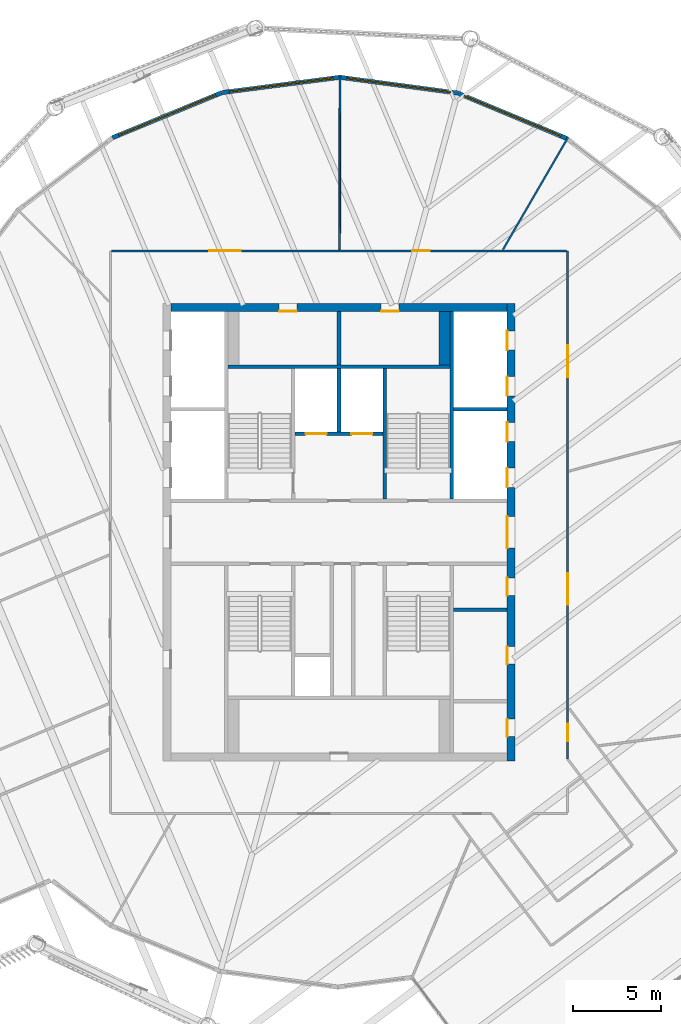
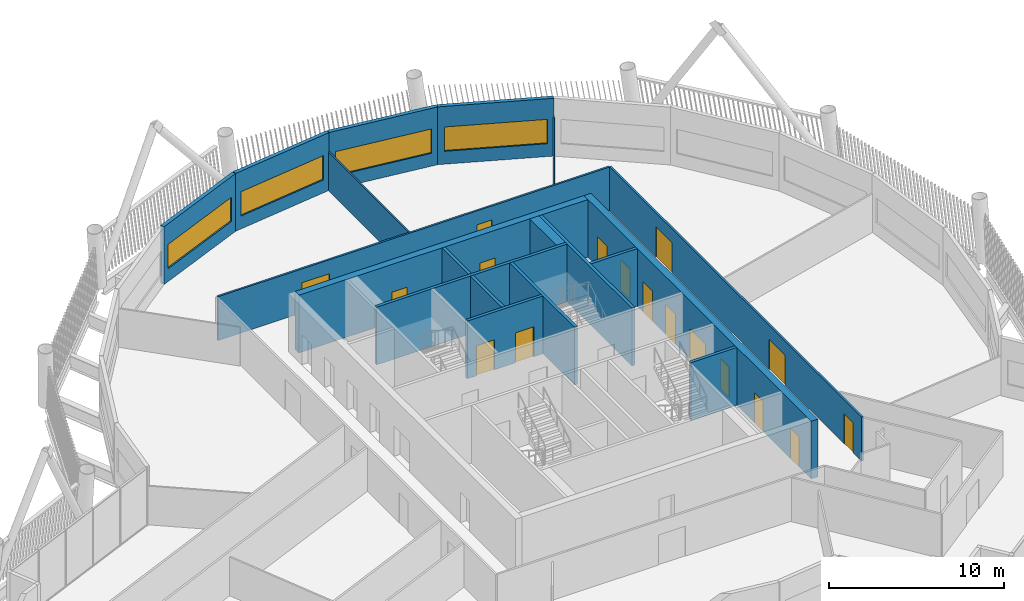
# One storey, part 19 of 35: 19 walls, 17 doors, 4 windows, 21 openings.
"""IFC4 building model written with IfcOpenShell, lengths in metres."""

from ifc_helpers import new_model, si_unit, direction, frame, frame_2d, origin, place, context, subcontext, project, spatial, rectangle, extrude, material, layer, layer_set, type_object, element, fill, save


model = new_model("IFC4")

# Units and contexts
model_context = context("Model", 3, precision=1e-05, world=origin(), true_north=direction((0.0, 1.0)))
body_context = subcontext(model_context, "Body", "Model", "MODEL_VIEW")
ifc_project = project(units=[si_unit("LENGTHUNIT", "METRE"), si_unit("AREAUNIT", "SQUARE_METRE"), si_unit("VOLUMEUNIT", "CUBIC_METRE"), si_unit("PLANEANGLEUNIT", "RADIAN"), si_unit("MASSUNIT", "GRAM", prefix="KILO")], contexts=[model_context])

# Site, building, storey
site_placement = place(None, origin())
site = spatial("IfcSite", under=ifc_project, at=site_placement, CompositionType="ELEMENT")
building_placement = place(site_placement, origin())
building = spatial("IfcBuilding", under=site, at=building_placement, Name="Tarsis Ring Headquarters", CompositionType="ELEMENT")
storey_placement = place(building_placement, frame((0.0, 0.0, 377.60009765625)))
storey = spatial("IfcBuildingStorey", under=building, at=storey_placement, Name="L89", CompositionType="ELEMENT", Elevation=377.60009765625)

# Walls
ifc_material_1 = material(Name="Blockwork", Category="masonry")
ifc_layer_1 = layer(ifc_material_1, 0.199951171875)
ifc_layer_set_1 = layer_set([ifc_layer_1], Name="Core blockwork wall 200")
wall_type_1 = type_object("IfcWallType", Name="Core blockwork wall 200", PredefinedType="PARTITIONING", material=ifc_layer_set_1)
for number, where, z_axis, x_axis, name in (
    (1, (6.5, -4.39990234375, 0.0), (0.0, 0.0, 1.0), (1.0, 0.0, 0.0), "Core partition ED3"),
    (2, (0.0, 9.5, 0.0), (0.0, 0.0, 1.0), (0.0, 1.0, 0.0), "Core partition ND2"),
):
    element("IfcWall", number, at=place(storey_placement, frame(where, z_axis=z_axis, x_axis=x_axis)), inside=storey, type_object=wall_type_1, Name=name, PredefinedType="PARTITIONING", context=body_context, shape_type="SweptSolid", body=[
        extrude(rectangle(XDim=3.050048828125, YDim=0.199951171875, at=frame_2d((1.52490234375, 0.0))), origin(), (0.0, 0.0, 1.0), 4.039794921875),
    ])

# Wall, openings, doors
ifc_material_2 = material(Name="Concrete C50/60", Category="concrete")
ifc_layer_2 = layer(ifc_material_2, 0.449951171875)
ifc_layer_set_2 = layer_set([ifc_layer_2], Name="Core wall 450 C50/60")
wall_type_2 = type_object("IfcWallType", Name="Core wall 450 C50/60", PredefinedType="SHEAR", material=ifc_layer_set_2)
wall_1_placement = place(storey_placement, frame((9.77490234375, -13.0, 0.0), z_axis=(0.0, 0.0, 1.0), x_axis=(0.0, 1.0, 0.0)))
wall_1 = element("IfcWall", 3, at=wall_1_placement, inside=storey, type_object=wall_type_2, Name="Core wall OE", PredefinedType="SHEAR", context=body_context, shape_type="SweptSolid", body=[
    extrude(rectangle(XDim=26.0, YDim=0.449951171875, at=frame_2d((13.0, 0.0))), origin(), (0.0, 0.0, 1.0), 4.039794921875),
])
opening_1_placement = place(wall_1_placement, frame((1.375, 0.0, 0.0)))
opening_1 = element("IfcOpeningElement", 4, at=opening_1_placement, cuts=wall_1, Name="Opening L89-C07", PredefinedType="OPENING", context=body_context, shape_type="SweptSolid", body=[
    extrude(rectangle(XDim=1.0, YDim=2.10009765625, at=frame_2d((0.5, 1.050048828125))), frame((0.0, 0.23486328125, 0.0), z_axis=(0.0, -1.0, 0.0), x_axis=(1.0, 0.0, 0.0)), (0.0, 0.0, 1.0), 0.469970703125),
])
opening_2_placement = place(wall_1_placement, frame((5.5, 0.0, 0.0)))
opening_2 = element("IfcOpeningElement", 5, at=opening_2_placement, cuts=wall_1, Name="Opening L89-C08", PredefinedType="OPENING", context=body_context, shape_type="SweptSolid", body=[
    extrude(rectangle(XDim=1.0, YDim=2.10009765625, at=frame_2d((0.5, 1.050048828125))), frame((0.0, 0.23486328125, 0.0), z_axis=(0.0, -1.0, 0.0), x_axis=(1.0, 0.0, 0.0)), (0.0, 0.0, 1.0), 0.469970703125),
])
opening_3_placement = place(wall_1_placement, frame((9.39990234375, 0.0, 0.0)))
opening_3 = element("IfcOpeningElement", 6, at=opening_3_placement, cuts=wall_1, Name="Opening L89-C09", PredefinedType="OPENING", context=body_context, shape_type="SweptSolid", body=[
    extrude(rectangle(XDim=1.0, YDim=2.10009765625, at=frame_2d((0.5, 1.050048828125))), frame((0.0, 0.23486328125, 0.0), z_axis=(0.0, -1.0, 0.0), x_axis=(1.0, 0.0, 0.0)), (0.0, 0.0, 1.0), 0.469970703125),
])
opening_4_placement = place(wall_1_placement, frame((12.10009765625, 0.0, 0.0)))
opening_4 = element("IfcOpeningElement", 7, at=opening_4_placement, cuts=wall_1, Name="Opening L89-C10", PredefinedType="OPENING", context=body_context, shape_type="SweptSolid", body=[
    extrude(rectangle(XDim=1.800048828125, YDim=2.10009765625, at=frame_2d((0.89990234375, 1.050048828125))), frame((0.0, 0.23486328125, 0.0), z_axis=(0.0, -1.0, 0.0), x_axis=(1.0, 0.0, 0.0)), (0.0, 0.0, 1.0), 0.469970703125),
])
opening_5_placement = place(wall_1_placement, frame((15.550048828125, 0.0, 0.0)))
opening_5 = element("IfcOpeningElement", 8, at=opening_5_placement, cuts=wall_1, Name="Opening LD-HR5", PredefinedType="OPENING", context=body_context, shape_type="SweptSolid", body=[
    extrude(rectangle(XDim=1.10009765625, YDim=2.10009765625, at=frame_2d((0.550048828125, 1.050048828125))), frame((0.0, 0.23486328125, 0.0), z_axis=(0.0, -1.0, 0.0), x_axis=(1.0, 0.0, 0.0)), (0.0, 0.0, 1.0), 0.469970703125),
])
opening_6_placement = place(wall_1_placement, frame((18.14990234375, 0.0, 0.0)))
opening_6 = element("IfcOpeningElement", 9, at=opening_6_placement, cuts=wall_1, Name="Opening LD-HR6", PredefinedType="OPENING", context=body_context, shape_type="SweptSolid", body=[
    extrude(rectangle(XDim=1.10009765625, YDim=2.10009765625, at=frame_2d((0.550048828125, 1.050048828125))), frame((0.0, 0.23486328125, 0.0), z_axis=(0.0, -1.0, 0.0), x_axis=(1.0, 0.0, 0.0)), (0.0, 0.0, 1.0), 0.469970703125),
])
opening_7_placement = place(wall_1_placement, frame((20.75, 0.0, 0.0)))
opening_7 = element("IfcOpeningElement", 10, at=opening_7_placement, cuts=wall_1, Name="Opening LD-HR7", PredefinedType="OPENING", context=body_context, shape_type="SweptSolid", body=[
    extrude(rectangle(XDim=1.10009765625, YDim=2.10009765625, at=frame_2d((0.550048828125, 1.050048828125))), frame((0.0, 0.23486328125, 0.0), z_axis=(0.0, -1.0, 0.0), x_axis=(1.0, 0.0, 0.0)), (0.0, 0.0, 1.0), 0.469970703125),
])
opening_8_placement = place(wall_1_placement, frame((23.35009765625, 0.0, 0.0)))
opening_8 = element("IfcOpeningElement", 11, at=opening_8_placement, cuts=wall_1, Name="Opening LD-HR8", PredefinedType="OPENING", context=body_context, shape_type="SweptSolid", body=[
    extrude(rectangle(XDim=1.10009765625, YDim=2.10009765625, at=frame_2d((0.550048828125, 1.050048828125))), frame((0.0, 0.23486328125, 0.0), z_axis=(0.0, -1.0, 0.0), x_axis=(1.0, 0.0, 0.0)), (0.0, 0.0, 1.0), 0.469970703125),
])
ifc_material_3 = material(Name="Steel S355", Category="steel")
door_type_1 = type_object("IfcDoorType", Name="Core entry door 1800x2100", OperationType="DOUBLE_DOOR_SINGLE_SWING", PredefinedType="DOOR", material=ifc_material_3)
door_1_placement = place(opening_4_placement, origin())
door_1 = element("IfcDoor", 12, at=door_1_placement, inside=storey, type_object=door_type_1, Name="Core entry door L89", OperationType="DOUBLE_DOOR_SINGLE_SWING", OverallHeight=2.10009765625, OverallWidth=1.800048828125, PredefinedType="DOOR", context=body_context, shape_type="SweptSolid", body=[
    extrude(rectangle(XDim=1.800048828125, YDim=2.10009765625, at=frame_2d((0.89990234375, 1.050048828125))), frame((0.0, 0.22509765625, 0.0), z_axis=(0.0, -1.0, 0.0), x_axis=(1.0, 0.0, 0.0)), (0.0, 0.0, 1.0), 0.050048828125),
])
fill(opening_4, door_1)
door_type_2 = type_object("IfcDoorType", Name="Core room door 1000x2100", OperationType="SINGLE_SWING_LEFT", PredefinedType="DOOR", material=ifc_material_3)
door_2_placement = place(opening_1_placement, origin())
door_2 = element("IfcDoor", 13, at=door_2_placement, inside=storey, type_object=door_type_2, Name="Core room door L89", OperationType="SINGLE_SWING_LEFT", OverallHeight=2.10009765625, OverallWidth=1.0, PredefinedType="DOOR", context=body_context, shape_type="SweptSolid", body=[
    extrude(rectangle(XDim=1.0, YDim=2.10009765625, at=frame_2d((0.5, 1.050048828125))), frame((0.0, 0.22509765625, 0.0), z_axis=(0.0, -1.0, 0.0), x_axis=(1.0, 0.0, 0.0)), (0.0, 0.0, 1.0), 0.050048828125),
])
fill(opening_1, door_2)
door_3_placement = place(opening_2_placement, origin())
door_3 = element("IfcDoor", 14, at=door_3_placement, inside=storey, type_object=door_type_2, Name="Core room door L89", OperationType="SINGLE_SWING_LEFT", OverallHeight=2.10009765625, OverallWidth=1.0, PredefinedType="DOOR", context=body_context, shape_type="SweptSolid", body=[
    extrude(rectangle(XDim=1.0, YDim=2.10009765625, at=frame_2d((0.5, 1.050048828125))), frame((0.0, 0.22509765625, 0.0), z_axis=(0.0, -1.0, 0.0), x_axis=(1.0, 0.0, 0.0)), (0.0, 0.0, 1.0), 0.050048828125),
])
fill(opening_2, door_3)
door_4_placement = place(opening_3_placement, origin())
door_4 = element("IfcDoor", 15, at=door_4_placement, inside=storey, type_object=door_type_2, Name="Core room door L89", OperationType="SINGLE_SWING_LEFT", OverallHeight=2.10009765625, OverallWidth=1.0, PredefinedType="DOOR", context=body_context, shape_type="SweptSolid", body=[
    extrude(rectangle(XDim=1.0, YDim=2.10009765625, at=frame_2d((0.5, 1.050048828125))), frame((0.0, 0.22509765625, 0.0), z_axis=(0.0, -1.0, 0.0), x_axis=(1.0, 0.0, 0.0)), (0.0, 0.0, 1.0), 0.050048828125),
])
fill(opening_3, door_4)
door_type_3 = type_object("IfcDoorType", Name="Landing door 1100x2100", OperationType="SLIDING_TO_LEFT", PredefinedType="DOOR", material=ifc_material_3)
door_5_placement = place(opening_5_placement, origin())
door_5 = element("IfcDoor", 16, at=door_5_placement, inside=storey, type_object=door_type_3, Name="Landing door HR5 L89", OperationType="SLIDING_TO_LEFT", OverallHeight=2.10009765625, OverallWidth=1.10009765625, PredefinedType="DOOR", context=body_context, shape_type="SweptSolid", body=[
    extrude(rectangle(XDim=1.10009765625, YDim=2.10009765625, at=frame_2d((0.550048828125, 1.050048828125))), frame((0.0, 0.22509765625, 0.0), z_axis=(0.0, -1.0, 0.0), x_axis=(1.0, 0.0, 0.0)), (0.0, 0.0, 1.0), 0.050048828125),
])
fill(opening_5, door_5)
door_6_placement = place(opening_6_placement, origin())
door_6 = element("IfcDoor", 17, at=door_6_placement, inside=storey, type_object=door_type_3, Name="Landing door HR6 L89", OperationType="SLIDING_TO_LEFT", OverallHeight=2.10009765625, OverallWidth=1.10009765625, PredefinedType="DOOR", context=body_context, shape_type="SweptSolid", body=[
    extrude(rectangle(XDim=1.10009765625, YDim=2.10009765625, at=frame_2d((0.550048828125, 1.050048828125))), frame((0.0, 0.22509765625, 0.0), z_axis=(0.0, -1.0, 0.0), x_axis=(1.0, 0.0, 0.0)), (0.0, 0.0, 1.0), 0.050048828125),
])
fill(opening_6, door_6)
door_7_placement = place(opening_7_placement, origin())
door_7 = element("IfcDoor", 18, at=door_7_placement, inside=storey, type_object=door_type_3, Name="Landing door HR7 L89", OperationType="SLIDING_TO_LEFT", OverallHeight=2.10009765625, OverallWidth=1.10009765625, PredefinedType="DOOR", context=body_context, shape_type="SweptSolid", body=[
    extrude(rectangle(XDim=1.10009765625, YDim=2.10009765625, at=frame_2d((0.550048828125, 1.050048828125))), frame((0.0, 0.22509765625, 0.0), z_axis=(0.0, -1.0, 0.0), x_axis=(1.0, 0.0, 0.0)), (0.0, 0.0, 1.0), 0.050048828125),
])
fill(opening_7, door_7)
door_8_placement = place(opening_8_placement, origin())
door_8 = element("IfcDoor", 19, at=door_8_placement, inside=storey, type_object=door_type_3, Name="Landing door HR8 L89", OperationType="SLIDING_TO_LEFT", OverallHeight=2.10009765625, OverallWidth=1.10009765625, PredefinedType="DOOR", context=body_context, shape_type="SweptSolid", body=[
    extrude(rectangle(XDim=1.10009765625, YDim=2.10009765625, at=frame_2d((0.550048828125, 1.050048828125))), frame((0.0, 0.22509765625, 0.0), z_axis=(0.0, -1.0, 0.0), x_axis=(1.0, 0.0, 0.0)), (0.0, 0.0, 1.0), 0.050048828125),
])
fill(opening_8, door_8)

wall_2_placement = place(storey_placement, frame((-9.550048828125, 12.77490234375, 0.0), z_axis=(0.0, 0.0, 1.0), x_axis=(1.0, 0.0, 0.0)))
wall_2 = element("IfcWall", 20, at=wall_2_placement, inside=storey, type_object=wall_type_2, Name="Core wall ON", PredefinedType="SHEAR", context=body_context, shape_type="SweptSolid", body=[
    extrude(rectangle(XDim=19.10009765625, YDim=0.449951171875, at=frame_2d((9.550048828125, 0.0))), origin(), (0.0, 0.0, 1.0), 4.039794921875),
])
opening_9_placement = place(wall_2_placement, frame((6.14990234375, 0.0, 0.0)))
opening_9 = element("IfcOpeningElement", 21, at=opening_9_placement, cuts=wall_2, Name="Opening L89-C15", PredefinedType="OPENING", context=body_context, shape_type="SweptSolid", body=[
    extrude(rectangle(XDim=1.0, YDim=2.10009765625, at=frame_2d((0.5, 1.050048828125))), frame((0.0, 0.23486328125, 0.0), z_axis=(0.0, -1.0, 0.0), x_axis=(1.0, 0.0, 0.0)), (0.0, 0.0, 1.0), 0.469970703125),
])
opening_10_placement = place(wall_2_placement, frame((11.949951171875, 0.0, 0.0)))
opening_10 = element("IfcOpeningElement", 22, at=opening_10_placement, cuts=wall_2, Name="Opening L89-C16", PredefinedType="OPENING", context=body_context, shape_type="SweptSolid", body=[
    extrude(rectangle(XDim=1.0, YDim=2.10009765625, at=frame_2d((0.5, 1.050048828125))), frame((0.0, 0.23486328125, 0.0), z_axis=(0.0, -1.0, 0.0), x_axis=(1.0, 0.0, 0.0)), (0.0, 0.0, 1.0), 0.469970703125),
])
door_9_placement = place(opening_9_placement, origin())
door_9 = element("IfcDoor", 23, at=door_9_placement, inside=storey, type_object=door_type_2, Name="Core room door L89", OperationType="SINGLE_SWING_LEFT", OverallHeight=2.10009765625, OverallWidth=1.0, PredefinedType="DOOR", context=body_context, shape_type="SweptSolid", body=[
    extrude(rectangle(XDim=1.0, YDim=2.10009765625, at=frame_2d((0.5, 1.050048828125))), frame((0.0, -0.1748046875, 0.0), z_axis=(0.0, -1.0, 0.0), x_axis=(1.0, 0.0, 0.0)), (0.0, 0.0, 1.0), 0.050048828125),
])
fill(opening_9, door_9)
door_10_placement = place(opening_10_placement, origin())
door_10 = element("IfcDoor", 24, at=door_10_placement, inside=storey, type_object=door_type_2, Name="Core room door L89", OperationType="SINGLE_SWING_LEFT", OverallHeight=2.10009765625, OverallWidth=1.0, PredefinedType="DOOR", context=body_context, shape_type="SweptSolid", body=[
    extrude(rectangle(XDim=1.0, YDim=2.10009765625, at=frame_2d((0.5, 1.050048828125))), frame((0.0, -0.1748046875, 0.0), z_axis=(0.0, -1.0, 0.0), x_axis=(1.0, 0.0, 0.0)), (0.0, 0.0, 1.0), 0.050048828125),
])
fill(opening_10, door_10)

# Walls
ifc_material_4 = material(Name="Gypsum board on steel studs", Category="steel")
ifc_layer_3 = layer(ifc_material_4, 0.10009765625)
ifc_layer_set_3 = layer_set([ifc_layer_3], Name="FL partition 100 unrated")
wall_type_3 = type_object("IfcWallType", Name="FL partition 100 unrated", PredefinedType="PARTITIONING", material=ifc_layer_set_3)
wall_3_placement = place(storey_placement, frame((0.03369140625, 16.070068359375, 0.0), z_axis=(0.0, 0.0, 1.0), x_axis=(0.002076171407, 0.999997844754, 0.0)))
element("IfcWall", 25, at=wall_3_placement, inside=storey, type_object=wall_type_3, Name="Partition PW3", PredefinedType="PARTITIONING", context=body_context, shape_type="SweptSolid", body=[
    extrude(rectangle(XDim=9.877685546875, YDim=0.10009765625, at=frame_2d((4.93896484375, 0.0))), origin(), (0.0, 0.0, 1.0), 2.699951171875),
])
wall_4_placement = place(storey_placement, frame((9.327392578125, 16.077880859375, 0.0), z_axis=(0.0, 0.0, 1.0), x_axis=(0.501825805804, 0.864968705, 0.0)))
element("IfcWall", 26, at=wall_4_placement, inside=storey, type_object=wall_type_3, Name="Partition PW3", PredefinedType="PARTITIONING", context=body_context, shape_type="SweptSolid", body=[
    extrude(rectangle(XDim=7.3603515625, YDim=0.10009765625, at=frame_2d((3.68017578125, 0.0))), origin(), (0.0, 0.0, 1.0), 2.699951171875),
])

# Wall, openings, doors
ifc_layer_4 = layer(ifc_material_4, 0.125)
ifc_layer_set_4 = layer_set([ifc_layer_4], Name="FL partition 125 EI 60 H3070")
wall_type_4 = type_object("IfcWallType", Name="FL partition 125 EI 60 H3070", PredefinedType="PARTITIONING", material=ifc_layer_set_4)
wall_5_placement = place(storey_placement, frame((13.0, -12.894775390625, 0.0), z_axis=(0.0, 0.0, 1.0), x_axis=(0.0, 1.0, 0.0)))
wall_5 = element("IfcWall", 27, at=wall_5_placement, inside=storey, type_object=wall_type_4, Name="Partition PW1H307", PredefinedType="PARTITIONING", context=body_context, shape_type="SweptSolid", body=[
    extrude(rectangle(XDim=28.894775390625, YDim=0.125, at=frame_2d((14.447265625, 0.0))), origin(), (0.0, 0.0, 1.0), 3.06982421875),
])
opening_11_placement = place(wall_5_placement, frame((21.7216796875, 0.0, 0.0)))
opening_11 = element("IfcOpeningElement", 28, at=opening_11_placement, cuts=wall_5, Name="Opening D89.06", PredefinedType="OPENING", context=body_context, shape_type="SweptSolid", body=[
    extrude(rectangle(XDim=1.800048828125, YDim=2.10009765625, at=frame_2d((0.89990234375, 1.050048828125))), frame((0.0, 0.072509765625, 0.0), z_axis=(0.0, -1.0, 0.0), x_axis=(1.0, 0.0, 0.0)), (0.0, 0.0, 1.0), 0.14501953125),
])
opening_12_placement = place(wall_5_placement, frame((8.774169921875, 0.0, 0.0)))
opening_12 = element("IfcOpeningElement", 29, at=opening_12_placement, cuts=wall_5, Name="Opening D89.07", PredefinedType="OPENING", context=body_context, shape_type="SweptSolid", body=[
    extrude(rectangle(XDim=1.800048828125, YDim=2.10009765625, at=frame_2d((0.89990234375, 1.050048828125))), frame((0.0, 0.072509765625, 0.0), z_axis=(0.0, -1.0, 0.0), x_axis=(1.0, 0.0, 0.0)), (0.0, 0.0, 1.0), 0.14501953125),
])
opening_13_placement = place(wall_5_placement, frame((0.99951171875, 0.0, 0.0)))
opening_13 = element("IfcOpeningElement", 30, at=opening_13_placement, cuts=wall_5, Name="Opening D89.14", PredefinedType="OPENING", context=body_context, shape_type="SweptSolid", body=[
    extrude(rectangle(XDim=1.0, YDim=2.10009765625, at=frame_2d((0.5, 1.050048828125))), frame((0.0, 0.072509765625, 0.0), z_axis=(0.0, -1.0, 0.0), x_axis=(1.0, 0.0, 0.0)), (0.0, 0.0, 1.0), 0.14501953125),
])
ifc_material_5 = material(Name="Fire-rated timber door leaf in steel frame", Category="steel")
door_type_4 = type_object("IfcDoorType", Name="FL door FD60-1000", OperationType="NOTDEFINED", PredefinedType="DOOR", material=ifc_material_5)
door_11_placement = place(opening_13_placement, origin())
door_11 = element("IfcDoor", 31, at=door_11_placement, inside=storey, type_object=door_type_4, Name="Door D89.14", OperationType="SINGLE_SWING_LEFT", OverallHeight=2.10009765625, OverallWidth=1.0, PredefinedType="DOOR", context=body_context, shape_type="SweptSolid", body=[
    extrude(rectangle(XDim=1.0, YDim=2.10009765625, at=frame_2d((0.5, 1.050048828125))), frame((0.0, 0.02490234375, 0.0), z_axis=(0.0, -1.0, 0.0), x_axis=(1.0, 0.0, 0.0)), (0.0, 0.0, 1.0), 0.050048828125),
])
fill(opening_13, door_11)
door_type_5 = type_object("IfcDoorType", Name="FL door FD60-1800", OperationType="DOUBLE_DOOR_SINGLE_SWING", PredefinedType="DOOR", material=ifc_material_5)
door_12_placement = place(opening_11_placement, origin())
door_12 = element("IfcDoor", 32, at=door_12_placement, inside=storey, type_object=door_type_5, Name="Door D89.06", OperationType="DOUBLE_DOOR_SINGLE_SWING", OverallHeight=2.10009765625, OverallWidth=1.800048828125, PredefinedType="DOOR", context=body_context, shape_type="SweptSolid", body=[
    extrude(rectangle(XDim=1.800048828125, YDim=2.10009765625, at=frame_2d((0.89990234375, 1.050048828125))), frame((0.0, 0.02490234375, 0.0), z_axis=(0.0, -1.0, 0.0), x_axis=(1.0, 0.0, 0.0)), (0.0, 0.0, 1.0), 0.050048828125),
])
fill(opening_11, door_12)
door_13_placement = place(opening_12_placement, origin())
door_13 = element("IfcDoor", 33, at=door_13_placement, inside=storey, type_object=door_type_5, Name="Door D89.07", OperationType="DOUBLE_DOOR_SINGLE_SWING", OverallHeight=2.10009765625, OverallWidth=1.800048828125, PredefinedType="DOOR", context=body_context, shape_type="SweptSolid", body=[
    extrude(rectangle(XDim=1.800048828125, YDim=2.10009765625, at=frame_2d((0.89990234375, 1.050048828125))), frame((0.0, 0.02490234375, 0.0), z_axis=(0.0, -1.0, 0.0), x_axis=(1.0, 0.0, 0.0)), (0.0, 0.0, 1.0), 0.050048828125),
])
fill(opening_12, door_13)

wall_6_placement = place(storey_placement, frame((-12.93994140625, 16.0, 0.0), z_axis=(0.0, 0.0, 1.0), x_axis=(1.0, 0.0, 0.0)))
wall_6 = element("IfcWall", 34, at=wall_6_placement, inside=storey, type_object=wall_type_4, Name="Partition PW1H307", PredefinedType="PARTITIONING", context=body_context, shape_type="SweptSolid", body=[
    extrude(rectangle(XDim=25.8798828125, YDim=0.125, at=frame_2d((12.93994140625, 0.0))), origin(), (0.0, 0.0, 1.0), 3.06982421875),
])
opening_14_placement = place(wall_6_placement, frame((5.556884765625, 0.0, 0.0)))
opening_14 = element("IfcOpeningElement", 35, at=opening_14_placement, cuts=wall_6, Name="Opening D89.04", PredefinedType="OPENING", context=body_context, shape_type="SweptSolid", body=[
    extrude(rectangle(XDim=1.800048828125, YDim=2.10009765625, at=frame_2d((0.89990234375, 1.050048828125))), frame((0.0, 0.072509765625, 0.0), z_axis=(0.0, -1.0, 0.0), x_axis=(1.0, 0.0, 0.0)), (0.0, 0.0, 1.0), 0.14501953125),
])
opening_15_placement = place(wall_6_placement, frame((17.097900390625, 0.0, 0.0)))
opening_15 = element("IfcOpeningElement", 36, at=opening_15_placement, cuts=wall_6, Name="Opening D89.05", PredefinedType="OPENING", context=body_context, shape_type="SweptSolid", body=[
    extrude(rectangle(XDim=1.0, YDim=2.10009765625, at=frame_2d((0.5, 1.050048828125))), frame((0.0, 0.072509765625, 0.0), z_axis=(0.0, -1.0, 0.0), x_axis=(1.0, 0.0, 0.0)), (0.0, 0.0, 1.0), 0.14501953125),
])
door_14_placement = place(opening_15_placement, origin())
door_14 = element("IfcDoor", 37, at=door_14_placement, inside=storey, type_object=door_type_4, Name="Door D89.05", OperationType="SINGLE_SWING_RIGHT", OverallHeight=2.10009765625, OverallWidth=1.0, PredefinedType="DOOR", context=body_context, shape_type="SweptSolid", body=[
    extrude(rectangle(XDim=1.0, YDim=2.10009765625, at=frame_2d((0.5, 1.050048828125))), frame((0.0, 0.02490234375, 0.0), z_axis=(0.0, -1.0, 0.0), x_axis=(1.0, 0.0, 0.0)), (0.0, 0.0, 1.0), 0.050048828125),
])
fill(opening_15, door_14)
door_15_placement = place(opening_14_placement, origin())
door_15 = element("IfcDoor", 38, at=door_15_placement, inside=storey, type_object=door_type_5, Name="Door D89.04", OperationType="DOUBLE_DOOR_SINGLE_SWING", OverallHeight=2.10009765625, OverallWidth=1.800048828125, PredefinedType="DOOR", context=body_context, shape_type="SweptSolid", body=[
    extrude(rectangle(XDim=1.800048828125, YDim=2.10009765625, at=frame_2d((0.89990234375, 1.050048828125))), frame((0.0, 0.02490234375, 0.0), z_axis=(0.0, -1.0, 0.0), x_axis=(1.0, 0.0, 0.0)), (0.0, 0.0, 1.0), 0.050048828125),
])
fill(opening_14, door_15)

# Wall, opening, window
ifc_material_6 = material(Name="Terracotta clad insulated panel wall", Category="masonry")
ifc_layer_5 = layer(ifc_material_6, 0.25)
ifc_layer_set_5 = layer_set([ifc_layer_5], Name="Facade wall terracotta panel 250")
wall_type_5 = type_object("IfcWallType", Name="Facade wall terracotta panel 250", PredefinedType="STANDARD", material=ifc_layer_set_5)
wall_7_placement = place(storey_placement, frame((12.96875, 22.38671875, 0.0), z_axis=(0.0, 0.0, 1.0), x_axis=(-0.923079072274, 0.384610226502, 0.0)))
wall_7 = element("IfcWall", 39, at=wall_7_placement, inside=storey, type_object=wall_type_5, Name="External wall L89-23", PredefinedType="STANDARD", context=body_context, shape_type="SweptSolid", body=[
    extrude(rectangle(XDim=6.7216796875, YDim=0.25, at=frame_2d((3.36083984375, 0.0))), origin(), (0.0, 0.0, 1.0), 4.039794921875),
])
opening_16_placement = place(wall_7_placement, frame((0.3857421875, 0.0, 0.89990234375)))
opening_16 = element("IfcOpeningElement", 40, at=opening_16_placement, cuts=wall_7, Name="Opening WN07", PredefinedType="OPENING", context=body_context, shape_type="SweptSolid", body=[
    extrude(rectangle(XDim=5.949951171875, YDim=1.699951171875, at=frame_2d((2.97509765625, 0.85009765625))), frame((0.0, 0.135009765625, 0.0), z_axis=(0.0, -1.0, 0.0), x_axis=(1.0, 0.0, 0.0)), (0.0, 0.0, 1.0), 0.27001953125),
])
ifc_material_7 = material(Name="Aluminium framed double glazing", Category="aluminium")
window_type = type_object("IfcWindowType", Name="Facade window 5950 x 1700", PartitioningType="SINGLE_PANEL", PredefinedType="WINDOW", material=ifc_material_7)
window_1_placement = place(opening_16_placement, origin())
window_1 = element("IfcWindow", 41, at=window_1_placement, inside=storey, type_object=window_type, Name="Window L89-23.1", OverallHeight=1.699951171875, OverallWidth=5.949951171875, PartitioningType="SINGLE_PANEL", PredefinedType="WINDOW", context=body_context, shape_type="SweptSolid", body=[
    extrude(rectangle(XDim=5.949951171875, YDim=1.699951171875, at=frame_2d((2.97509765625, 0.85009765625))), frame((0.0, 0.030029296875, 0.0), z_axis=(0.0, -1.0, 0.0), x_axis=(1.0, 0.0, 0.0)), (0.0, 0.0, 1.0), 0.06005859375),
])
fill(opening_16, window_1)

wall_8_placement = place(storey_placement, frame((6.732666015625, 24.98046875, 0.0), z_axis=(0.0, 0.0, 1.0), x_axis=(-0.991172616486, 0.132577691666, 0.0)))
wall_8 = element("IfcWall", 42, at=wall_8_placement, inside=storey, type_object=wall_type_5, Name="External wall L89-24", PredefinedType="STANDARD", context=body_context, shape_type="SweptSolid", body=[
    extrude(rectangle(XDim=6.721435546875, YDim=0.25, at=frame_2d((3.36083984375, 0.0))), origin(), (0.0, 0.0, 1.0), 4.039794921875),
])
opening_17_placement = place(wall_8_placement, frame((0.3857421875, 0.0, 0.89990234375)))
opening_17 = element("IfcOpeningElement", 43, at=opening_17_placement, cuts=wall_8, Name="Opening WN07", PredefinedType="OPENING", context=body_context, shape_type="SweptSolid", body=[
    extrude(rectangle(XDim=5.949951171875, YDim=1.699951171875, at=frame_2d((2.97509765625, 0.85009765625))), frame((0.0, 0.135009765625, 0.0), z_axis=(0.0, -1.0, 0.0), x_axis=(1.0, 0.0, 0.0)), (0.0, 0.0, 1.0), 0.27001953125),
])
window_2_placement = place(opening_17_placement, origin())
window_2 = element("IfcWindow", 44, at=window_2_placement, inside=storey, type_object=window_type, Name="Window L89-24.1", OverallHeight=1.699951171875, OverallWidth=5.949951171875, PartitioningType="SINGLE_PANEL", PredefinedType="WINDOW", context=body_context, shape_type="SweptSolid", body=[
    extrude(rectangle(XDim=5.949951171875, YDim=1.699951171875, at=frame_2d((2.97509765625, 0.85009765625))), frame((0.0, 0.030029296875, 0.0), z_axis=(0.0, -1.0, 0.0), x_axis=(1.0, 0.0, 0.0)), (0.0, 0.0, 1.0), 0.06005859375),
])
fill(opening_17, window_2)

wall_9_placement = place(storey_placement, frame((0.037841796875, 25.871826171875, 0.0), z_axis=(0.0, 0.0, 1.0), x_axis=(-0.991713050935, -0.128472660922, 0.0)))
wall_9 = element("IfcWall", 45, at=wall_9_placement, inside=storey, type_object=wall_type_5, Name="External wall L89-25", PredefinedType="STANDARD", context=body_context, shape_type="SweptSolid", body=[
    extrude(rectangle(XDim=6.721435546875, YDim=0.25, at=frame_2d((3.36083984375, 0.0))), origin(), (0.0, 0.0, 1.0), 4.039794921875),
])
opening_18_placement = place(wall_9_placement, frame((0.3857421875, 0.0, 0.89990234375)))
opening_18 = element("IfcOpeningElement", 46, at=opening_18_placement, cuts=wall_9, Name="Opening WN07", PredefinedType="OPENING", context=body_context, shape_type="SweptSolid", body=[
    extrude(rectangle(XDim=5.949951171875, YDim=1.699951171875, at=frame_2d((2.97509765625, 0.85009765625))), frame((0.0, 0.135009765625, 0.0), z_axis=(0.0, -1.0, 0.0), x_axis=(1.0, 0.0, 0.0)), (0.0, 0.0, 1.0), 0.27001953125),
])
window_3_placement = place(opening_18_placement, origin())
window_3 = element("IfcWindow", 47, at=window_3_placement, inside=storey, type_object=window_type, Name="Window L89-25.1", OverallHeight=1.699951171875, OverallWidth=5.949951171875, PartitioningType="SINGLE_PANEL", PredefinedType="WINDOW", context=body_context, shape_type="SweptSolid", body=[
    extrude(rectangle(XDim=5.949951171875, YDim=1.699951171875, at=frame_2d((2.97509765625, 0.85009765625))), frame((0.0, 0.030029296875, 0.0), z_axis=(0.0, -1.0, 0.0), x_axis=(1.0, 0.0, 0.0)), (0.0, 0.0, 1.0), 0.06005859375),
])
fill(opening_18, window_3)

wall_10_placement = place(storey_placement, frame((-6.659423828125, 25.0, 0.0), z_axis=(0.0, 0.0, 1.0), x_axis=(-0.924674337321, -0.380758939356, 0.0)))
wall_10 = element("IfcWall", 48, at=wall_10_placement, inside=storey, type_object=wall_type_5, Name="External wall L89-26", PredefinedType="STANDARD", context=body_context, shape_type="SweptSolid", body=[
    extrude(rectangle(XDim=6.7216796875, YDim=0.25, at=frame_2d((3.36083984375, 0.0))), origin(), (0.0, 0.0, 1.0), 4.039794921875),
])
opening_19_placement = place(wall_10_placement, frame((0.3857421875, 0.0, 0.89990234375)))
opening_19 = element("IfcOpeningElement", 49, at=opening_19_placement, cuts=wall_10, Name="Opening WN07", PredefinedType="OPENING", context=body_context, shape_type="SweptSolid", body=[
    extrude(rectangle(XDim=5.949951171875, YDim=1.699951171875, at=frame_2d((2.97509765625, 0.85009765625))), frame((0.0, 0.135009765625, 0.0), z_axis=(0.0, -1.0, 0.0), x_axis=(1.0, 0.0, 0.0)), (0.0, 0.0, 1.0), 0.27001953125),
])
window_4_placement = place(opening_19_placement, origin())
window_4 = element("IfcWindow", 50, at=window_4_placement, inside=storey, type_object=window_type, Name="Window L89-26.1", OverallHeight=1.699951171875, OverallWidth=5.949951171875, PartitioningType="SINGLE_PANEL", PredefinedType="WINDOW", context=body_context, shape_type="SweptSolid", body=[
    extrude(rectangle(XDim=5.949951171875, YDim=1.699951171875, at=frame_2d((2.97509765625, 0.85009765625))), frame((0.0, 0.030029296875, 0.0), z_axis=(0.0, -1.0, 0.0), x_axis=(1.0, 0.0, 0.0)), (0.0, 0.0, 1.0), 0.06005859375),
])
fill(opening_19, window_4)

# Walls
ifc_material_8 = material(Name="Concrete C32/40", Category="concrete")
ifc_layer_6 = layer(ifc_material_8, 0.60009765625)
ifc_layer_set_6 = layer_set([ifc_layer_6], Name="Shaft end wall 600 C32/40")
wall_type_6 = type_object("IfcWallType", Name="Shaft end wall 600 C32/40", PredefinedType="SOLIDWALL", material=ifc_layer_set_6)
wall_11_placement = place(storey_placement, frame((6.0, 9.5, 0.0), z_axis=(0.0, 0.0, 1.0), x_axis=(0.0, 1.0, 0.0)))
element("IfcWall", 51, at=wall_11_placement, inside=storey, type_object=wall_type_6, Name="Core shaft wall NNE2", PredefinedType="SOLIDWALL", context=body_context, shape_type="SweptSolid", body=[
    extrude(rectangle(XDim=3.050048828125, YDim=0.60009765625, at=frame_2d((1.52490234375, 0.0))), origin(), (0.0, 0.0, 1.0), 4.039794921875),
])
ifc_layer_7 = layer(ifc_material_8, 0.199951171875)
ifc_layer_set_7 = layer_set([ifc_layer_7], Name="Shaft wall 200 C32/40")
wall_type_7 = type_object("IfcWallType", Name="Shaft wall 200 C32/40", PredefinedType="SOLIDWALL", material=ifc_layer_set_7)
wall_12_placement = place(storey_placement, frame((6.39990234375, 1.89990234375, 0.0), z_axis=(0.0, 0.0, 1.0), x_axis=(0.0, 1.0, 0.0)))
element("IfcWall", 52, at=wall_12_placement, inside=storey, type_object=wall_type_7, Name="Core shaft wall EB2", PredefinedType="SOLIDWALL", context=body_context, shape_type="SweptSolid", body=[
    extrude(rectangle(XDim=10.650146484375, YDim=0.199951171875, at=frame_2d((5.3251953125, 0.0))), origin(), (0.0, 0.0, 1.0), 4.039794921875),
])
wall_13_placement = place(storey_placement, frame((-6.300048828125, 9.39990234375, 0.0), z_axis=(0.0, 0.0, 1.0), x_axis=(1.0, 0.0, 0.0)))
element("IfcWall", 53, at=wall_13_placement, inside=storey, type_object=wall_type_7, Name="Core shaft wall NB", PredefinedType="SOLIDWALL", context=body_context, shape_type="SweptSolid", body=[
    extrude(rectangle(XDim=12.60009765625, YDim=0.199951171875, at=frame_2d((6.300048828125, 0.0))), origin(), (0.0, 0.0, 1.0), 4.039794921875),
])
wall_14_placement = place(storey_placement, frame((2.60009765625, 1.89990234375, 0.0), z_axis=(0.0, 0.0, 1.0), x_axis=(0.0, 1.0, 0.0)))
element("IfcWall", 54, at=wall_14_placement, inside=storey, type_object=wall_type_7, Name="Core shaft wall SW2", PredefinedType="SOLIDWALL", context=body_context, shape_type="SweptSolid", body=[
    extrude(rectangle(XDim=7.400146484375, YDim=0.199951171875, at=frame_2d((3.7001953125, 0.0))), origin(), (0.0, 0.0, 1.0), 4.039794921875),
])

# Wall, openings, doors
wall_15_placement = place(storey_placement, frame((-2.5, 5.60009765625, 0.0), z_axis=(0.0, 0.0, 1.0), x_axis=(1.0, 0.0, 0.0)))
wall_15 = element("IfcWall", 55, at=wall_15_placement, inside=storey, type_object=wall_type_7, Name="Core shaft wall FFN", PredefinedType="SOLIDWALL", context=body_context, shape_type="SweptSolid", body=[
    extrude(rectangle(XDim=5.0, YDim=0.199951171875, at=frame_2d((2.5, 0.0))), origin(), (0.0, 0.0, 1.0), 4.039794921875),
])
opening_20_placement = place(wall_15_placement, frame((0.60009765625, 0.0, 0.0)))
opening_20 = element("IfcOpeningElement", 56, at=opening_20_placement, cuts=wall_15, Name="Opening LDF-1", PredefinedType="OPENING", context=body_context, shape_type="SweptSolid", body=[
    extrude(rectangle(XDim=1.199951171875, YDim=2.10009765625, at=frame_2d((0.60009765625, 1.050048828125))), frame((0.0, 0.10986328125, 0.0), z_axis=(0.0, -1.0, 0.0), x_axis=(1.0, 0.0, 0.0)), (0.0, 0.0, 1.0), 0.219970703125),
])
opening_21_placement = place(wall_15_placement, frame((3.199951171875, 0.0, 0.0)))
opening_21 = element("IfcOpeningElement", 57, at=opening_21_placement, cuts=wall_15, Name="Opening LDF-2", PredefinedType="OPENING", context=body_context, shape_type="SweptSolid", body=[
    extrude(rectangle(XDim=1.199951171875, YDim=2.10009765625, at=frame_2d((0.60009765625, 1.050048828125))), frame((0.0, 0.10986328125, 0.0), z_axis=(0.0, -1.0, 0.0), x_axis=(1.0, 0.0, 0.0)), (0.0, 0.0, 1.0), 0.219970703125),
])
door_type_6 = type_object("IfcDoorType", Name="Firefighting landing door 1200x2100", OperationType="SLIDING_TO_LEFT", PredefinedType="DOOR", material=ifc_material_3)
door_16_placement = place(opening_20_placement, origin())
door_16 = element("IfcDoor", 58, at=door_16_placement, inside=storey, type_object=door_type_6, Name="Landing door FF1 L89", OperationType="SLIDING_TO_LEFT", OverallHeight=2.10009765625, OverallWidth=1.199951171875, PredefinedType="DOOR", context=body_context, shape_type="SweptSolid", body=[
    extrude(rectangle(XDim=1.199951171875, YDim=2.10009765625, at=frame_2d((0.60009765625, 1.050048828125))), frame((0.0, 0.02490234375, 0.0), z_axis=(0.0, -1.0, 0.0), x_axis=(1.0, 0.0, 0.0)), (0.0, 0.0, 1.0), 0.050048828125),
])
fill(opening_20, door_16)
door_17_placement = place(opening_21_placement, origin())
door_17 = element("IfcDoor", 59, at=door_17_placement, inside=storey, type_object=door_type_6, Name="Landing door FF2 L89", OperationType="SLIDING_TO_LEFT", OverallHeight=2.10009765625, OverallWidth=1.199951171875, PredefinedType="DOOR", context=body_context, shape_type="SweptSolid", body=[
    extrude(rectangle(XDim=1.199951171875, YDim=2.10009765625, at=frame_2d((0.60009765625, 1.050048828125))), frame((0.0, 0.02490234375, 0.0), z_axis=(0.0, -1.0, 0.0), x_axis=(1.0, 0.0, 0.0)), (0.0, 0.0, 1.0), 0.050048828125),
])
fill(opening_21, door_17)

# Walls
wall_16_placement = place(storey_placement, frame((0.0, 5.699951171875, 0.0), z_axis=(0.0, 0.0, 1.0), x_axis=(0.0, 1.0, 0.0)))
element("IfcWall", 60, at=wall_16_placement, inside=storey, type_object=wall_type_7, Name="Core shaft wall FFD", PredefinedType="SOLIDWALL", context=body_context, shape_type="SweptSolid", body=[
    extrude(rectangle(XDim=3.60009765625, YDim=0.199951171875, at=frame_2d((1.800048828125, 0.0))), origin(), (0.0, 0.0, 1.0), 4.039794921875),
])
wall_17_placement = place(storey_placement, frame((6.5, 7.0, 0.0), z_axis=(0.0, 0.0, 1.0), x_axis=(1.0, 0.0, 0.0)))
element("IfcWall", 61, at=wall_17_placement, inside=storey, type_object=wall_type_7, Name="Core shaft wall ED6", PredefinedType="SOLIDWALL", context=body_context, shape_type="SweptSolid", body=[
    extrude(rectangle(XDim=3.050048828125, YDim=0.199951171875, at=frame_2d((1.52490234375, 0.0))), origin(), (0.0, 0.0, 1.0), 4.039794921875),
])

save(model, "model.ifc")
